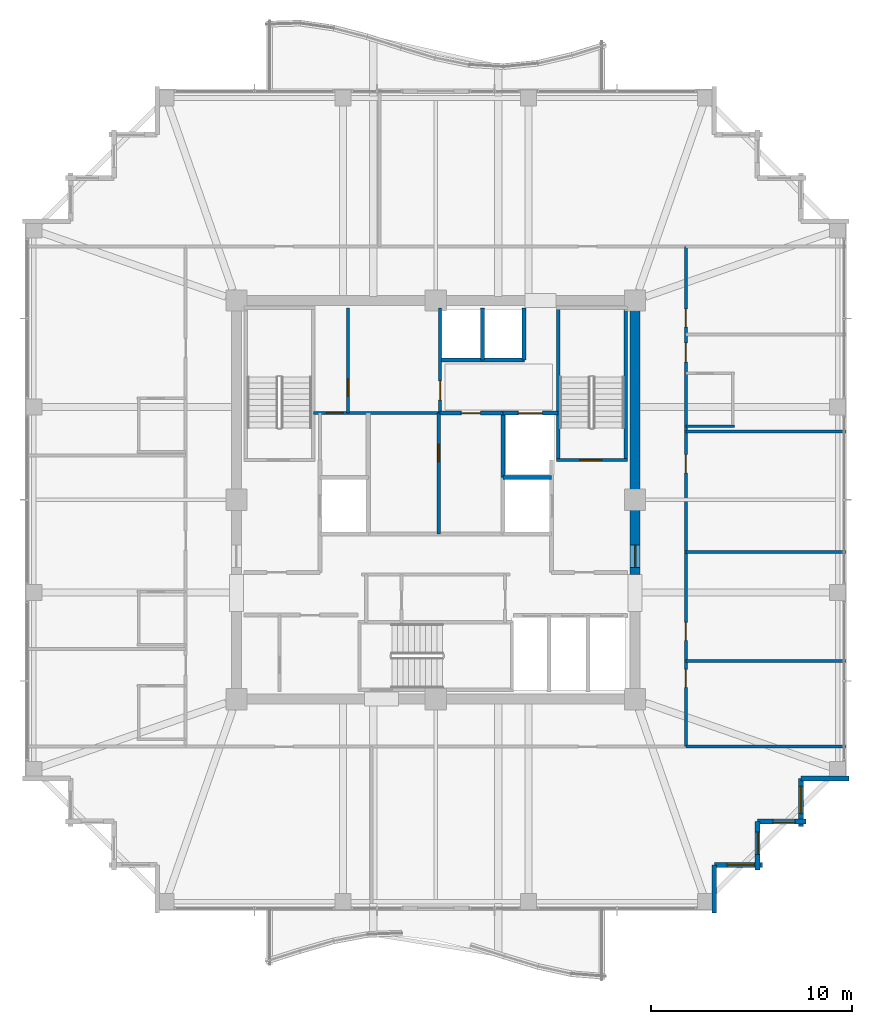
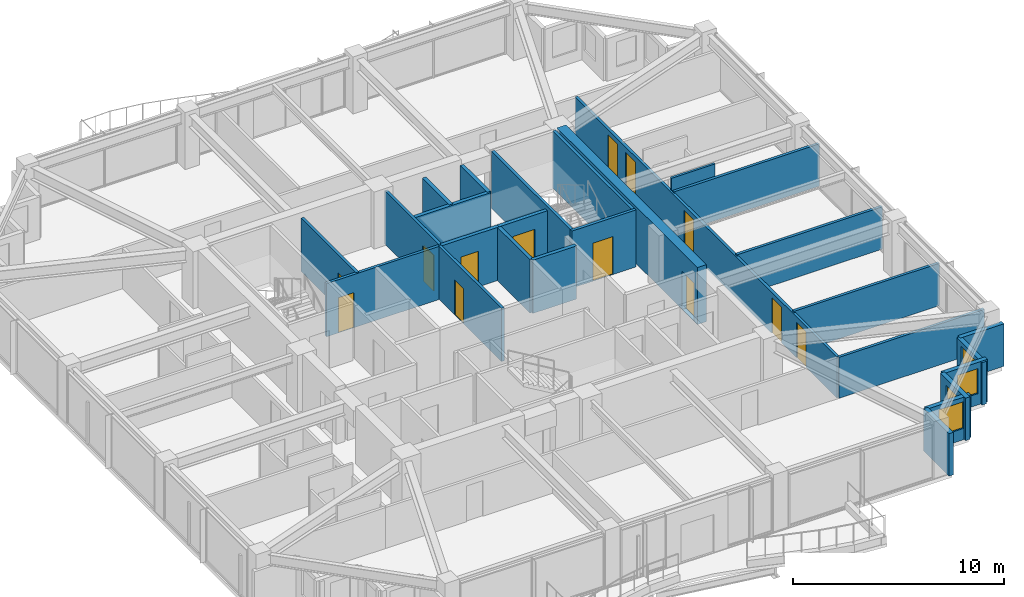
# One storey, part 32 of 36: 27 walls, 13 doors, 4 windows, 17 openings.
"""IFC4 building model written with IfcOpenShell, lengths in metres."""

from ifc_helpers import new_model, si_unit, direction, frame, frame_2d, origin, place, context, subcontext, project, spatial, rectangle, extrude, material, layer, layer_set, type_object, element, fill, save


model = new_model("IFC4")

# Units and contexts
model_context = context("Model", 3, precision=1e-05, world=origin(), true_north=direction((0.0, 1.0)))
body_context = subcontext(model_context, "Body", "Model", "MODEL_VIEW")
ifc_project = project(units=[si_unit("LENGTHUNIT", "METRE"), si_unit("AREAUNIT", "SQUARE_METRE"), si_unit("VOLUMEUNIT", "CUBIC_METRE"), si_unit("PLANEANGLEUNIT", "RADIAN"), si_unit("MASSUNIT", "GRAM", prefix="KILO")], contexts=[model_context])

# Site, building, storey
site_placement = place(None, origin())
site = spatial("IfcSite", under=ifc_project, at=site_placement, CompositionType="ELEMENT")
building_placement = place(site_placement, origin())
building = spatial("IfcBuilding", under=site, at=building_placement, Name="Kolvaren Belvedere", CompositionType="ELEMENT")
storey_placement = place(building_placement, frame((0.0, 0.0, 196.5)))
storey = spatial("IfcBuildingStorey", under=building, at=storey_placement, Name="L57", CompositionType="ELEMENT", Elevation=196.5)

# Wall, opening, door
ifc_material_1 = material(Name="Concrete C50/60", Category="concrete")
ifc_layer_1 = layer(ifc_material_1, 0.5)
ifc_layer_set_1 = layer_set([ifc_layer_1], Name="Concrete C50/60")
wall_type_1 = type_object("IfcWallType", Name="CW-CORE-500", PredefinedType="SHEAR", material=ifc_layer_set_1)
wall_1_placement = place(storey_placement, frame((9.89990234375, -3.699951171875, 0.0), z_axis=(0.0, 0.0, 1.0), x_axis=(0.0, 1.0, 0.0)))
wall_1 = element("IfcWall", 1, at=wall_1_placement, inside=storey, type_object=wall_type_1, Name="L57 East Core Shear Wall 2", PredefinedType="SHEAR", context=body_context, shape_type="SweptSolid", body=[
    extrude(rectangle(XDim=13.349853515625, YDim=0.5, at=frame_2d((6.6748046875, 0.0))), origin(), (0.0, 0.0, 1.0), 3.300048828125),
])
opening_1_placement = place(wall_1_placement, frame((0.35009765625, 0.0, 0.0)))
opening_1 = element("IfcOpeningElement", 2, at=opening_1_placement, cuts=wall_1, Name="Opening D-FD90", PredefinedType="OPENING", context=body_context, shape_type="SweptSolid", body=[
    extrude(rectangle(XDim=1.10009765625, YDim=2.199951171875, at=frame_2d((0.550048828125, 1.10009765625))), frame((0.0, 0.260009765625, 0.0), z_axis=(0.0, -1.0, 0.0), x_axis=(1.0, 0.0, 0.0)), (0.0, 0.0, 1.0), 0.52001953125),
])
ifc_material_2 = material(Name="Painted hollow stainless steel", Category="steel")
door_type_1 = type_object("IfcDoorType", Name="DR-FD90-1100", OperationType="NOTDEFINED", PredefinedType="DOOR", material=ifc_material_2)
door_1_placement = place(opening_1_placement, origin())
door_1 = element("IfcDoor", 3, at=door_1_placement, inside=storey, type_object=door_type_1, Name="L57 East Firefighting Lobby Fire Door", OperationType="SINGLE_SWING_RIGHT", OverallHeight=2.199951171875, OverallWidth=1.10009765625, PredefinedType="DOOR", context=body_context, shape_type="SweptSolid", body=[
    extrude(rectangle(XDim=1.10009765625, YDim=2.199951171875, at=frame_2d((0.550048828125, 1.10009765625))), frame((0.0, 0.02490234375, 0.0), z_axis=(0.0, -1.0, 0.0), x_axis=(1.0, 0.0, 0.0)), (0.0, 0.0, 1.0), 0.050048828125),
])
fill(opening_1, door_1)

ifc_material_3 = material(Name="Concrete C50/60", Category="concrete")
ifc_layer_2 = layer(ifc_material_3, 0.159912109375)
ifc_layer_set_2 = layer_set([ifc_layer_2], Name="Concrete C50/60")
wall_type_2 = type_object("IfcWallType", Name="CW-STAIR-160", PredefinedType="SHEAR", material=ifc_layer_set_2)
wall_2_placement = place(storey_placement, frame((6.0, 1.969970703125, 0.0), z_axis=(0.0, 0.0, 1.0), x_axis=(1.0, 0.0, 0.0)))
wall_2 = element("IfcWall", 4, at=wall_2_placement, inside=storey, type_object=wall_type_2, Name="L57 Stair ST-2 South Shear Wall", PredefinedType="SHEAR", context=body_context, shape_type="SweptSolid", body=[
    extrude(rectangle(XDim=3.52001953125, YDim=0.159912109375, at=frame_2d((1.760009765625, 0.0))), origin(), (0.0, 0.0, 1.0), 3.300048828125),
])
opening_2_placement = place(wall_2_placement, frame((1.14990234375, 0.0, 0.0)))
opening_2 = element("IfcOpeningElement", 5, at=opening_2_placement, cuts=wall_2, Name="Opening D-FD90", PredefinedType="OPENING", context=body_context, shape_type="SweptSolid", body=[
    extrude(rectangle(XDim=1.10009765625, YDim=2.199951171875, at=frame_2d((0.550048828125, 1.10009765625))), frame((0.0, 0.08984375, 0.0), z_axis=(0.0, -1.0, 0.0), x_axis=(1.0, 0.0, 0.0)), (0.0, 0.0, 1.0), 0.179931640625),
])
door_2_placement = place(opening_2_placement, origin())
door_2 = element("IfcDoor", 6, at=door_2_placement, inside=storey, type_object=door_type_1, Name="L57 Stair ST-2 Fire Door", OperationType="SINGLE_SWING_RIGHT", OverallHeight=2.199951171875, OverallWidth=1.10009765625, PredefinedType="DOOR", context=body_context, shape_type="SweptSolid", body=[
    extrude(rectangle(XDim=1.10009765625, YDim=2.199951171875, at=frame_2d((0.550048828125, 1.10009765625))), frame((0.0, 0.02490234375, 0.0), z_axis=(0.0, -1.0, 0.0), x_axis=(1.0, 0.0, 0.0)), (0.0, 0.0, 1.0), 0.050048828125),
])
fill(opening_2, door_2)

# Walls
for number, where, z_axis, x_axis, name in (
    (7, (6.080078125, 1.969970703125, 0.0), (0.0, 0.0, 1.0), (0.0, 1.0, 0.0), "L57 Stair ST-2 West Shear Wall"),
    (8, (9.429931640625, 1.969970703125, 0.0), (0.0, 0.0, 1.0), (0.0, 1.0, 0.0), "L57 Stair ST-2 East Shear Wall"),
):
    element("IfcWall", number, at=place(storey_placement, frame(where, z_axis=z_axis, x_axis=x_axis)), inside=storey, type_object=wall_type_2, Name=name, PredefinedType="SHEAR", context=body_context, shape_type="SweptSolid", body=[
        extrude(rectangle(XDim=7.56005859375, YDim=0.159912109375, at=frame_2d((3.780029296875, 0.0))), origin(), (0.0, 0.0, 1.0), 3.300048828125),
    ])

# Wall, openings, doors
ifc_material_4 = material(Name="Gypsum fire-rated partition assembly", Category="gypsum")
ifc_layer_3 = layer(ifc_material_4, 0.14990234375)
ifc_layer_set_3 = layer_set([ifc_layer_3], Name="Gypsum fire-rated partition assembly")
wall_type_3 = type_object("IfcWallType", Name="WL-CORR-150", PredefinedType="PARTITIONING", material=ifc_layer_set_3)
wall_3_placement = place(storey_placement, frame((12.419921875, -12.260009765625, 0.0), z_axis=(0.0, 0.0, 1.0), x_axis=(0.0, 1.0, 0.0)))
wall_3 = element("IfcWall", 9, at=wall_3_placement, inside=storey, type_object=wall_type_3, Name="L57 East Corridor Wall", PredefinedType="PARTITIONING", context=body_context, shape_type="SweptSolid", body=[
    extrude(rectangle(XDim=24.840087890625, YDim=0.14990234375, at=frame_2d((12.419921875, 0.0))), origin(), (0.0, 0.0, 1.0), 2.368896484375),
])
opening_3_placement = place(wall_3_placement, frame((2.9443359375, 0.0, 0.0)))
opening_3 = element("IfcOpeningElement", 10, at=opening_3_placement, cuts=wall_3, Name="Opening D-INT90", PredefinedType="OPENING", context=body_context, shape_type="SweptSolid", body=[
    extrude(rectangle(XDim=0.89990234375, YDim=2.06005859375, at=frame_2d((0.449951171875, 1.030029296875))), frame((0.0, 0.0849609375, 0.0), z_axis=(0.0, -1.0, 0.0), x_axis=(1.0, 0.0, 0.0)), (0.0, 0.0, 1.0), 0.169921875),
])
opening_4_placement = place(wall_3_placement, frame((5.279296875, 0.0, 0.0)))
opening_4 = element("IfcOpeningElement", 11, at=opening_4_placement, cuts=wall_3, Name="Opening D-INT90", PredefinedType="OPENING", context=body_context, shape_type="SweptSolid", body=[
    extrude(rectangle(XDim=0.89990234375, YDim=2.06005859375, at=frame_2d((0.449951171875, 1.030029296875))), frame((0.0, 0.0849609375, 0.0), z_axis=(0.0, -1.0, 0.0), x_axis=(1.0, 0.0, 0.0)), (0.0, 0.0, 1.0), 0.169921875),
])
opening_5_placement = place(wall_3_placement, frame((13.601806640625, 0.0, 0.0)))
opening_5 = element("IfcOpeningElement", 12, at=opening_5_placement, cuts=wall_3, Name="Opening D-INT90", PredefinedType="OPENING", context=body_context, shape_type="SweptSolid", body=[
    extrude(rectangle(XDim=0.89990234375, YDim=2.06005859375, at=frame_2d((0.449951171875, 1.030029296875))), frame((0.0, 0.0849609375, 0.0), z_axis=(0.0, -1.0, 0.0), x_axis=(1.0, 0.0, 0.0)), (0.0, 0.0, 1.0), 0.169921875),
])
opening_6_placement = place(wall_3_placement, frame((19.09765625, 0.0, 0.0)))
opening_6 = element("IfcOpeningElement", 13, at=opening_6_placement, cuts=wall_3, Name="Opening D-FD60", PredefinedType="OPENING", context=body_context, shape_type="SweptSolid", body=[
    extrude(rectangle(XDim=0.949951171875, YDim=2.06005859375, at=frame_2d((0.47509765625, 1.030029296875))), frame((0.0, 0.0849609375, 0.0), z_axis=(0.0, -1.0, 0.0), x_axis=(1.0, 0.0, 0.0)), (0.0, 0.0, 1.0), 0.169921875),
])
opening_7_placement = place(wall_3_placement, frame((20.835693359375, 0.0, 0.0)))
opening_7 = element("IfcOpeningElement", 14, at=opening_7_placement, cuts=wall_3, Name="Opening D-INT90", PredefinedType="OPENING", context=body_context, shape_type="SweptSolid", body=[
    extrude(rectangle(XDim=0.89990234375, YDim=2.06005859375, at=frame_2d((0.449951171875, 1.030029296875))), frame((0.0, 0.0849609375, 0.0), z_axis=(0.0, -1.0, 0.0), x_axis=(1.0, 0.0, 0.0)), (0.0, 0.0, 1.0), 0.169921875),
])
ifc_material_5 = material(Name="Acoustic white-oak fire door leaf", Category="timber")
door_type_2 = type_object("IfcDoorType", Name="DR-FD60-950", OperationType="NOTDEFINED", PredefinedType="DOOR", material=ifc_material_5)
door_3_placement = place(opening_6_placement, origin())
door_3 = element("IfcDoor", 15, at=door_3_placement, inside=storey, type_object=door_type_2, Name="L57 Botanical Hospitality Suite 5706 Entry Door", OperationType="SINGLE_SWING_RIGHT", OverallHeight=2.06005859375, OverallWidth=0.949951171875, PredefinedType="DOOR", context=body_context, shape_type="SweptSolid", body=[
    extrude(rectangle(XDim=0.949951171875, YDim=2.06005859375, at=frame_2d((0.47509765625, 1.030029296875))), frame((0.0, 0.02490234375, 0.0), z_axis=(0.0, -1.0, 0.0), x_axis=(1.0, 0.0, 0.0)), (0.0, 0.0, 1.0), 0.050048828125),
])
fill(opening_6, door_3)
ifc_material_6 = material(Name="Stained Pacific white oak", Category="timber")
door_type_3 = type_object("IfcDoorType", Name="DR-INT-900", OperationType="NOTDEFINED", PredefinedType="DOOR", material=ifc_material_6)
door_4_placement = place(opening_3_placement, origin())
door_4 = element("IfcDoor", 16, at=door_4_placement, inside=storey, type_object=door_type_3, Name="L57 Guest Tea & Espresso Kitchen 5703 Door", OperationType="SINGLE_SWING_RIGHT", OverallHeight=2.06005859375, OverallWidth=0.89990234375, PredefinedType="DOOR", context=body_context, shape_type="SweptSolid", body=[
    extrude(rectangle(XDim=0.89990234375, YDim=2.06005859375, at=frame_2d((0.449951171875, 1.030029296875))), frame((0.0, 0.02490234375, 0.0), z_axis=(0.0, -1.0, 0.0), x_axis=(1.0, 0.0, 0.0)), (0.0, 0.0, 1.0), 0.050048828125),
])
fill(opening_3, door_4)
door_5_placement = place(opening_4_placement, origin())
door_5 = element("IfcDoor", 17, at=door_5_placement, inside=storey, type_object=door_type_3, Name="L57 Private Hospitality Meeting Room 5704 Door", OperationType="SINGLE_SWING_LEFT", OverallHeight=2.06005859375, OverallWidth=0.89990234375, PredefinedType="DOOR", context=body_context, shape_type="SweptSolid", body=[
    extrude(rectangle(XDim=0.89990234375, YDim=2.06005859375, at=frame_2d((0.449951171875, 1.030029296875))), frame((0.0, 0.02490234375, 0.0), z_axis=(0.0, -1.0, 0.0), x_axis=(1.0, 0.0, 0.0)), (0.0, 0.0, 1.0), 0.050048828125),
])
fill(opening_4, door_5)
door_6_placement = place(opening_5_placement, origin())
door_6 = element("IfcDoor", 18, at=door_6_placement, inside=storey, type_object=door_type_3, Name="L57 Botanical Reading Salon 5705 Door", OperationType="SINGLE_SWING_RIGHT", OverallHeight=2.06005859375, OverallWidth=0.89990234375, PredefinedType="DOOR", context=body_context, shape_type="SweptSolid", body=[
    extrude(rectangle(XDim=0.89990234375, YDim=2.06005859375, at=frame_2d((0.449951171875, 1.030029296875))), frame((0.0, 0.02490234375, 0.0), z_axis=(0.0, -1.0, 0.0), x_axis=(1.0, 0.0, 0.0)), (0.0, 0.0, 1.0), 0.050048828125),
])
fill(opening_5, door_6)
door_7_placement = place(opening_7_placement, origin())
door_7 = element("IfcDoor", 19, at=door_7_placement, inside=storey, type_object=door_type_3, Name="L57 Lounge 5707 Door", OperationType="SINGLE_SWING_LEFT", OverallHeight=2.06005859375, OverallWidth=0.89990234375, PredefinedType="DOOR", context=body_context, shape_type="SweptSolid", body=[
    extrude(rectangle(XDim=0.89990234375, YDim=2.06005859375, at=frame_2d((0.449951171875, 1.030029296875))), frame((0.0, 0.02490234375, 0.0), z_axis=(0.0, -1.0, 0.0), x_axis=(1.0, 0.0, 0.0)), (0.0, 0.0, 1.0), 0.050048828125),
])
fill(opening_7, door_7)

# Wall
ifc_material_7 = material(Name="Insulated pale-metal facade wall assembly", Category="aluminium")
ifc_layer_4 = layer(ifc_material_7, 0.239990234375)
ifc_layer_set_4 = layer_set([ifc_layer_4], Name="Insulated pale-metal facade wall assembly")
wall_type_4 = type_object("IfcWallType", Name="WL-EXT-240", PredefinedType="STANDARD", material=ifc_layer_set_4)
wall_4_placement = place(storey_placement, frame((13.830078125, -18.1298828125, 0.0), z_axis=(0.0, 0.0, 1.0), x_axis=(0.0, -1.0, 0.0)))
element("IfcWall", 20, at=wall_4_placement, inside=storey, type_object=wall_type_4, Name="L57 Serrated Corner Facade Wall 2", PredefinedType="STANDARD", context=body_context, shape_type="SweptSolid", body=[
    extrude(rectangle(XDim=2.39013671875, YDim=0.239990234375, at=frame_2d((1.195068359375, 0.0))), origin(), (0.0, 0.0, 1.0), 2.462890625),
])

# Wall, opening, window
wall_5_placement = place(storey_placement, frame((16.219970703125, -18.1298828125, 0.0), z_axis=(0.0, 0.0, 1.0), x_axis=(-1.0, 0.0, 0.0)))
wall_5 = element("IfcWall", 21, at=wall_5_placement, inside=storey, type_object=wall_type_4, Name="L57 Serrated Corner Facade Wall 3", PredefinedType="STANDARD", context=body_context, shape_type="SweptSolid", body=[
    extrude(rectangle(XDim=2.389892578125, YDim=0.239990234375, at=frame_2d((1.19482421875, 0.0))), origin(), (0.0, 0.0, 1.0), 2.462890625),
])
opening_8_placement = place(wall_5_placement, frame((0.39990234375, 0.0, 0.64990234375)))
opening_8 = element("IfcOpeningElement", 22, at=opening_8_placement, cuts=wall_5, Name="Opening W-1350", PredefinedType="OPENING", context=body_context, shape_type="SweptSolid", body=[
    extrude(rectangle(XDim=1.35009765625, YDim=1.550048828125, at=frame_2d((0.675048828125, 0.77490234375))), frame((0.0, 0.1298828125, 0.0), z_axis=(0.0, -1.0, 0.0), x_axis=(1.0, 0.0, 0.0)), (0.0, 0.0, 1.0), 0.260009765625),
])
ifc_material_8 = material(Name="Low-iron triple insulated glass", Category="glass")
window_type_1 = type_object("IfcWindowType", Name="WN-CORN-1350", PartitioningType="SINGLE_PANEL", PredefinedType="WINDOW", material=ifc_material_8)
window_1_placement = place(opening_8_placement, origin())
window_1 = element("IfcWindow", 23, at=window_1_placement, inside=storey, type_object=window_type_1, Name="L57 Serrated Corner Vision Window 3", OverallHeight=1.550048828125, OverallWidth=1.35009765625, PartitioningType="SINGLE_PANEL", PredefinedType="WINDOW", context=body_context, shape_type="SweptSolid", body=[
    extrude(rectangle(XDim=1.35009765625, YDim=1.550048828125, at=frame_2d((0.675048828125, 0.77490234375))), frame((0.0, 0.030029296875, 0.0), z_axis=(0.0, -1.0, 0.0), x_axis=(1.0, 0.0, 0.0)), (0.0, 0.0, 1.0), 0.06005859375),
])
fill(opening_8, window_1)

wall_6_placement = place(storey_placement, frame((15.97998046875, -15.97998046875, 0.0), z_axis=(0.0, 0.0, 1.0), x_axis=(0.0, -1.0, 0.0)))
wall_6 = element("IfcWall", 24, at=wall_6_placement, inside=storey, type_object=wall_type_4, Name="L57 Serrated Corner Facade Wall 4", PredefinedType="STANDARD", context=body_context, shape_type="SweptSolid", body=[
    extrude(rectangle(XDim=2.39013671875, YDim=0.239990234375, at=frame_2d((1.195068359375, 0.0))), origin(), (0.0, 0.0, 1.0), 2.462890625),
])
opening_9_placement = place(wall_6_placement, frame((0.52490234375, 0.0, 0.64990234375)))
opening_9 = element("IfcOpeningElement", 25, at=opening_9_placement, cuts=wall_6, Name="Opening W-1100", PredefinedType="OPENING", context=body_context, shape_type="SweptSolid", body=[
    extrude(rectangle(XDim=1.10009765625, YDim=1.449951171875, at=frame_2d((0.550048828125, 0.72509765625))), frame((0.0, 0.1298828125, 0.0), z_axis=(0.0, -1.0, 0.0), x_axis=(1.0, 0.0, 0.0)), (0.0, 0.0, 1.0), 0.260009765625),
])
ifc_material_9 = material(Name="Low-iron triple insulated glass", Category="glass")
window_type_2 = type_object("IfcWindowType", Name="WN-CORN-1100", PartitioningType="SINGLE_PANEL", PredefinedType="WINDOW", material=ifc_material_9)
window_2_placement = place(opening_9_placement, origin())
window_2 = element("IfcWindow", 26, at=window_2_placement, inside=storey, type_object=window_type_2, Name="L57 Serrated Corner Vision Window 4", OverallHeight=1.449951171875, OverallWidth=1.10009765625, PartitioningType="SINGLE_PANEL", PredefinedType="WINDOW", context=body_context, shape_type="SweptSolid", body=[
    extrude(rectangle(XDim=1.10009765625, YDim=1.449951171875, at=frame_2d((0.550048828125, 0.72509765625))), frame((0.0, 0.030029296875, 0.0), z_axis=(0.0, -1.0, 0.0), x_axis=(1.0, 0.0, 0.0)), (0.0, 0.0, 1.0), 0.06005859375),
])
fill(opening_9, window_2)

wall_7_placement = place(storey_placement, frame((18.3701171875, -15.97998046875, 0.0), z_axis=(0.0, 0.0, 1.0), x_axis=(-1.0, 0.0, 0.0)))
wall_7 = element("IfcWall", 27, at=wall_7_placement, inside=storey, type_object=wall_type_4, Name="L57 Serrated Corner Facade Wall 5", PredefinedType="STANDARD", context=body_context, shape_type="SweptSolid", body=[
    extrude(rectangle(XDim=2.39013671875, YDim=0.239990234375, at=frame_2d((1.195068359375, 0.0))), origin(), (0.0, 0.0, 1.0), 2.462890625),
])
opening_10_placement = place(wall_7_placement, frame((0.52490234375, 0.0, 0.64990234375)))
opening_10 = element("IfcOpeningElement", 28, at=opening_10_placement, cuts=wall_7, Name="Opening W-1100", PredefinedType="OPENING", context=body_context, shape_type="SweptSolid", body=[
    extrude(rectangle(XDim=1.10009765625, YDim=1.449951171875, at=frame_2d((0.550048828125, 0.72509765625))), frame((0.0, 0.1298828125, 0.0), z_axis=(0.0, -1.0, 0.0), x_axis=(1.0, 0.0, 0.0)), (0.0, 0.0, 1.0), 0.260009765625),
])
window_3_placement = place(opening_10_placement, origin())
window_3 = element("IfcWindow", 29, at=window_3_placement, inside=storey, type_object=window_type_2, Name="L57 Serrated Corner Vision Window 5", OverallHeight=1.449951171875, OverallWidth=1.10009765625, PartitioningType="SINGLE_PANEL", PredefinedType="WINDOW", context=body_context, shape_type="SweptSolid", body=[
    extrude(rectangle(XDim=1.10009765625, YDim=1.449951171875, at=frame_2d((0.550048828125, 0.72509765625))), frame((0.0, 0.030029296875, 0.0), z_axis=(0.0, -1.0, 0.0), x_axis=(1.0, 0.0, 0.0)), (0.0, 0.0, 1.0), 0.06005859375),
])
fill(opening_10, window_3)

wall_8_placement = place(storey_placement, frame((18.1298828125, -13.830078125, 0.0), z_axis=(0.0, 0.0, 1.0), x_axis=(0.0, -1.0, 0.0)))
wall_8 = element("IfcWall", 30, at=wall_8_placement, inside=storey, type_object=wall_type_4, Name="L57 Serrated Corner Facade Wall 6", PredefinedType="STANDARD", context=body_context, shape_type="SweptSolid", body=[
    extrude(rectangle(XDim=2.389892578125, YDim=0.239990234375, at=frame_2d((1.19482421875, 0.0))), origin(), (0.0, 0.0, 1.0), 2.462890625),
])
opening_11_placement = place(wall_8_placement, frame((0.39990234375, 0.0, 0.64990234375)))
opening_11 = element("IfcOpeningElement", 31, at=opening_11_placement, cuts=wall_8, Name="Opening W-1350", PredefinedType="OPENING", context=body_context, shape_type="SweptSolid", body=[
    extrude(rectangle(XDim=1.35009765625, YDim=1.550048828125, at=frame_2d((0.675048828125, 0.77490234375))), frame((0.0, 0.1298828125, 0.0), z_axis=(0.0, -1.0, 0.0), x_axis=(1.0, 0.0, 0.0)), (0.0, 0.0, 1.0), 0.260009765625),
])
window_4_placement = place(opening_11_placement, origin())
window_4 = element("IfcWindow", 32, at=window_4_placement, inside=storey, type_object=window_type_1, Name="L57 Serrated Corner Vision Window 6", OverallHeight=1.550048828125, OverallWidth=1.35009765625, PartitioningType="SINGLE_PANEL", PredefinedType="WINDOW", context=body_context, shape_type="SweptSolid", body=[
    extrude(rectangle(XDim=1.35009765625, YDim=1.550048828125, at=frame_2d((0.675048828125, 0.77490234375))), frame((0.0, 0.030029296875, 0.0), z_axis=(0.0, -1.0, 0.0), x_axis=(1.0, 0.0, 0.0)), (0.0, 0.0, 1.0), 0.06005859375),
])
fill(opening_11, window_4)

# Wall
wall_9_placement = place(storey_placement, frame((20.52001953125, -13.830078125, 0.0), z_axis=(0.0, 0.0, 1.0), x_axis=(-1.0, 0.0, 0.0)))
element("IfcWall", 33, at=wall_9_placement, inside=storey, type_object=wall_type_4, Name="L57 Serrated Corner Facade Wall 7", PredefinedType="STANDARD", context=body_context, shape_type="SweptSolid", body=[
    extrude(rectangle(XDim=2.39013671875, YDim=0.239990234375, at=frame_2d((1.195068359375, 0.0))), origin(), (0.0, 0.0, 1.0), 2.462890625),
])

# Wall, opening, door
ifc_material_10 = material(Name="Gypsum acoustic partition assembly", Category="gypsum")
ifc_layer_5 = layer(ifc_material_10, 0.14990234375)
ifc_layer_set_5 = layer_set([ifc_layer_5], Name="Gypsum acoustic partition assembly")
wall_type_5 = type_object("IfcWallType", Name="WL-PART-150", PredefinedType="PARTITIONING", material=ifc_layer_set_5)
wall_10_placement = place(storey_placement, frame((-6.080078125, 4.300048828125, 0.0), z_axis=(0.0, 0.0, 1.0), x_axis=(1.0, 0.0, 0.0)))
wall_10 = element("IfcWall", 34, at=wall_10_placement, inside=storey, type_object=wall_type_5, Name="L57 Reclaimed Salon South Wall", PredefinedType="PARTITIONING", context=body_context, shape_type="SweptSolid", body=[
    extrude(rectangle(XDim=6.300048828125, YDim=0.14990234375, at=frame_2d((3.14990234375, 0.0))), origin(), (0.0, 0.0, 1.0), 3.080078125),
])
opening_12_placement = place(wall_10_placement, frame((0.64990234375, 0.0, 0.0)))
opening_12 = element("IfcOpeningElement", 35, at=opening_12_placement, cuts=wall_10, Name="Opening D-INT85", PredefinedType="OPENING", context=body_context, shape_type="SweptSolid", body=[
    extrude(rectangle(XDim=0.85009765625, YDim=2.030029296875, at=frame_2d((0.425048828125, 1.01513671875))), frame((0.0, 0.0849609375, 0.0), z_axis=(0.0, -1.0, 0.0), x_axis=(1.0, 0.0, 0.0)), (0.0, 0.0, 1.0), 0.169921875),
])
ifc_material_11 = material(Name="Stained Pacific white oak", Category="timber")
door_type_4 = type_object("IfcDoorType", Name="DR-INT-850", OperationType="NOTDEFINED", PredefinedType="DOOR", material=ifc_material_11)
door_8_placement = place(opening_12_placement, origin())
door_8 = element("IfcDoor", 36, at=door_8_placement, inside=storey, type_object=door_type_4, Name="L57 NW Core Store Door", OperationType="SINGLE_SWING_RIGHT", OverallHeight=2.030029296875, OverallWidth=0.85009765625, PredefinedType="DOOR", context=body_context, shape_type="SweptSolid", body=[
    extrude(rectangle(XDim=0.85009765625, YDim=2.030029296875, at=frame_2d((0.425048828125, 1.01513671875))), frame((0.0, 0.02490234375, 0.0), z_axis=(0.0, -1.0, 0.0), x_axis=(1.0, 0.0, 0.0)), (0.0, 0.0, 1.0), 0.050048828125),
])
fill(opening_12, door_8)

wall_11_placement = place(storey_placement, frame((0.219970703125, 4.300048828125, 0.0), z_axis=(0.0, 0.0, 1.0), x_axis=(0.0, 1.0, 0.0)))
wall_11 = element("IfcWall", 37, at=wall_11_placement, inside=storey, type_object=wall_type_5, Name="L57 Reclaimed Salon East Wall", PredefinedType="PARTITIONING", context=body_context, shape_type="SweptSolid", body=[
    extrude(rectangle(XDim=5.219970703125, YDim=0.14990234375, at=frame_2d((2.60986328125, 0.0))), origin(), (0.0, 0.0, 1.0), 3.080078125),
])
opening_13_placement = place(wall_11_placement, frame((0.64990234375, 0.0, 0.0)))
opening_13 = element("IfcOpeningElement", 38, at=opening_13_placement, cuts=wall_11, Name="Opening D-INT95", PredefinedType="OPENING", context=body_context, shape_type="SweptSolid", body=[
    extrude(rectangle(XDim=0.949951171875, YDim=2.06005859375, at=frame_2d((0.47509765625, 1.030029296875))), frame((0.0, 0.0849609375, 0.0), z_axis=(0.0, -1.0, 0.0), x_axis=(1.0, 0.0, 0.0)), (0.0, 0.0, 1.0), 0.169921875),
])
ifc_material_12 = material(Name="Stained Pacific white oak", Category="timber")
door_type_5 = type_object("IfcDoorType", Name="DR-INT-950", OperationType="NOTDEFINED", PredefinedType="DOOR", material=ifc_material_12)
door_9_placement = place(opening_13_placement, origin())
door_9 = element("IfcDoor", 39, at=door_9_placement, inside=storey, type_object=door_type_5, Name="L57 Art Salon Door", OperationType="SINGLE_SWING_LEFT", OverallHeight=2.06005859375, OverallWidth=0.949951171875, PredefinedType="DOOR", context=body_context, shape_type="SweptSolid", body=[
    extrude(rectangle(XDim=0.949951171875, YDim=2.06005859375, at=frame_2d((0.47509765625, 1.030029296875))), frame((0.0, 0.02490234375, 0.0), z_axis=(0.0, -1.0, 0.0), x_axis=(1.0, 0.0, 0.0)), (0.0, 0.0, 1.0), 0.050048828125),
])
fill(opening_13, door_9)

wall_12_placement = place(storey_placement, frame((-4.35009765625, 4.300048828125, 0.0), z_axis=(0.0, 0.0, 1.0), x_axis=(0.0, 1.0, 0.0)))
wall_12 = element("IfcWall", 40, at=wall_12_placement, inside=storey, type_object=wall_type_5, Name="L57 Reclaimed Archive Divider", PredefinedType="PARTITIONING", context=body_context, shape_type="SweptSolid", body=[
    extrude(rectangle(XDim=5.219970703125, YDim=0.14990234375, at=frame_2d((2.60986328125, 0.0))), origin(), (0.0, 0.0, 1.0), 3.080078125),
])
opening_14_placement = place(wall_12_placement, frame((0.85009765625, 0.0, 0.0)))
opening_14 = element("IfcOpeningElement", 41, at=opening_14_placement, cuts=wall_12, Name="Opening D-INT85", PredefinedType="OPENING", context=body_context, shape_type="SweptSolid", body=[
    extrude(rectangle(XDim=0.85009765625, YDim=2.030029296875, at=frame_2d((0.425048828125, 1.01513671875))), frame((0.0, 0.0849609375, 0.0), z_axis=(0.0, -1.0, 0.0), x_axis=(1.0, 0.0, 0.0)), (0.0, 0.0, 1.0), 0.169921875),
])
door_10_placement = place(opening_14_placement, origin())
door_10 = element("IfcDoor", 42, at=door_10_placement, inside=storey, type_object=door_type_4, Name="L57 Archive Store Door", OperationType="SINGLE_SWING_RIGHT", OverallHeight=2.030029296875, OverallWidth=0.85009765625, PredefinedType="DOOR", context=body_context, shape_type="SweptSolid", body=[
    extrude(rectangle(XDim=0.85009765625, YDim=2.030029296875, at=frame_2d((0.425048828125, 1.01513671875))), frame((0.0, 0.02490234375, 0.0), z_axis=(0.0, -1.0, 0.0), x_axis=(1.0, 0.0, 0.0)), (0.0, 0.0, 1.0), 0.050048828125),
])
fill(opening_14, door_10)

wall_13_placement = place(storey_placement, frame((0.14990234375, -1.699951171875, 0.0), z_axis=(0.0, 0.0, 1.0), x_axis=(0.0, 1.0, 0.0)))
wall_13 = element("IfcWall", 43, at=wall_13_placement, inside=storey, type_object=wall_type_5, Name="L57 Central Core V-Divider", PredefinedType="PARTITIONING", context=body_context, shape_type="SweptSolid", body=[
    extrude(rectangle(XDim=6.0, YDim=0.14990234375, at=frame_2d((3.0, 0.0))), origin(), (0.0, 0.0, 1.0), 3.080078125),
])
opening_15_placement = place(wall_13_placement, frame((3.60009765625, 0.0, 0.0)))
opening_15 = element("IfcOpeningElement", 44, at=opening_15_placement, cuts=wall_13, Name="Opening D-INT85", PredefinedType="OPENING", context=body_context, shape_type="SweptSolid", body=[
    extrude(rectangle(XDim=0.85009765625, YDim=2.030029296875, at=frame_2d((0.425048828125, 1.01513671875))), frame((0.0, 0.0849609375, 0.0), z_axis=(0.0, -1.0, 0.0), x_axis=(1.0, 0.0, 0.0)), (0.0, 0.0, 1.0), 0.169921875),
])
door_11_placement = place(opening_15_placement, origin())
door_11 = element("IfcDoor", 45, at=door_11_placement, inside=storey, type_object=door_type_4, Name="L57 Central Linen Door", OperationType="SINGLE_SWING_RIGHT", OverallHeight=2.030029296875, OverallWidth=0.85009765625, PredefinedType="DOOR", context=body_context, shape_type="SweptSolid", body=[
    extrude(rectangle(XDim=0.85009765625, YDim=2.030029296875, at=frame_2d((0.425048828125, 1.01513671875))), frame((0.0, 0.02490234375, 0.0), z_axis=(0.0, -1.0, 0.0), x_axis=(1.0, 0.0, 0.0)), (0.0, 0.0, 1.0), 0.050048828125),
])
fill(opening_15, door_11)

# Walls
wall_14_placement = place(storey_placement, frame((12.419921875, -12.260009765625, 0.0), z_axis=(0.0, 0.0, 1.0), x_axis=(1.0, 0.0, 0.0)))
element("IfcWall", 46, at=wall_14_placement, inside=storey, type_object=wall_type_5, Name="L57 Wing Divider PW-L57-QSE", PredefinedType="PARTITIONING", context=body_context, shape_type="SweptSolid", body=[
    extrude(rectangle(XDim=7.9599609375, YDim=0.14990234375, at=frame_2d((3.97998046875, 0.0))), origin(), (0.0, 0.0, 1.0), 2.368896484375),
])
for number, where, z_axis, x_axis, name in (
    (47, (12.419921875, -8.0, 0.0), (0.0, 0.0, 1.0), (1.0, 0.0, 0.0), "L57 East Suite Demising Wall 1"),
    (48, (12.419921875, -2.60009765625, 0.0), (0.0, 0.0, 1.0), (1.0, 0.0, 0.0), "L57 East Suite Demising Wall 2"),
    (49, (12.419921875, 3.39990234375, 0.0), (0.0, 0.0, 1.0), (1.0, 0.0, 0.0), "L57 East Suite Demising Wall 3"),
):
    element("IfcWall", number, at=place(storey_placement, frame(where, z_axis=z_axis, x_axis=x_axis)), inside=storey, type_object=wall_type_5, Name=name, PredefinedType="PARTITIONING", context=body_context, shape_type="SweptSolid", body=[
        extrude(rectangle(XDim=7.9599609375, YDim=0.14990234375, at=frame_2d((3.97998046875, 0.0))), origin(), (0.0, 0.0, 1.0), 2.452880859375),
    ])
ifc_material_13 = material(Name="Concrete C50/60", Category="concrete")
ifc_layer_6 = layer(ifc_material_13, 0.199951171875)
ifc_layer_set_6 = layer_set([ifc_layer_6], Name="Concrete C50/60")
wall_type_6 = type_object("IfcWallType", Name="WL-SHAFT-200", PredefinedType="SOLIDWALL", material=ifc_layer_set_6)
wall_15_placement = place(storey_placement, frame((3.35009765625, 1.10009765625, 0.0), z_axis=(0.0, 0.0, 1.0), x_axis=(1.0, 0.0, 0.0)))
element("IfcWall", 50, at=wall_15_placement, inside=storey, type_object=wall_type_6, Name="L57 FSAE FS2 North Wall", PredefinedType="SOLIDWALL", context=body_context, shape_type="SweptSolid", body=[
    extrude(rectangle(XDim=2.39990234375, YDim=0.199951171875, at=frame_2d((1.199951171875, 0.0))), origin(), (0.0, 0.0, 1.0), 3.080078125),
])

# Wall, opening, door
wall_16_placement = place(storey_placement, frame((3.35009765625, 4.300048828125, 0.0), z_axis=(0.0, 0.0, 1.0), x_axis=(1.0, 0.0, 0.0)))
wall_16 = element("IfcWall", 51, at=wall_16_placement, inside=storey, type_object=wall_type_6, Name="L57 Service Lift SV1 Front Wall", PredefinedType="SOLIDWALL", context=body_context, shape_type="SweptSolid", body=[
    extrude(rectangle(XDim=2.72998046875, YDim=0.199951171875, at=frame_2d((1.364990234375, 0.0))), origin(), (0.0, 0.0, 1.0), 3.080078125),
])
opening_16_placement = place(wall_16_placement, frame((0.75, 0.0, 0.0)))
opening_16 = element("IfcOpeningElement", 52, at=opening_16_placement, cuts=wall_16, Name="Opening LD-12", PredefinedType="OPENING", context=body_context, shape_type="SweptSolid", body=[
    extrude(rectangle(XDim=1.199951171875, YDim=2.25, at=frame_2d((0.60009765625, 1.125))), frame((0.0, 0.10986328125, 0.0), z_axis=(0.0, -1.0, 0.0), x_axis=(1.0, 0.0, 0.0)), (0.0, 0.0, 1.0), 0.219970703125),
])
ifc_material_14 = material(Name="Brushed stainless steel", Category="steel")
door_type_6 = type_object("IfcDoorType", Name="DR-LIFT-1200", OperationType="DOUBLE_DOOR_SLIDING", PredefinedType="DOOR", material=ifc_material_14)
door_12_placement = place(opening_16_placement, origin())
door_12 = element("IfcDoor", 53, at=door_12_placement, inside=storey, type_object=door_type_6, Name="L57 Service Lift SV1 Landing Door", OperationType="DOUBLE_DOOR_SLIDING", OverallHeight=2.25, OverallWidth=1.199951171875, PredefinedType="DOOR", context=body_context, shape_type="SweptSolid", body=[
    extrude(rectangle(XDim=1.199951171875, YDim=2.25, at=frame_2d((0.60009765625, 1.125))), frame((0.0, 0.02490234375, 0.0), z_axis=(0.0, -1.0, 0.0), x_axis=(1.0, 0.0, 0.0)), (0.0, 0.0, 1.0), 0.050048828125),
])
fill(opening_16, door_12)

# Walls
wall_17_placement = place(storey_placement, frame((0.219970703125, 6.949951171875, 0.0), z_axis=(0.0, 0.0, 1.0), x_axis=(1.0, 0.0, 0.0)))
element("IfcWall", 54, at=wall_17_placement, inside=storey, type_object=wall_type_6, Name="L57 Express Shuttle Hoistway Wall", PredefinedType="SOLIDWALL", context=body_context, shape_type="SweptSolid", body=[
    extrude(rectangle(XDim=4.179931640625, YDim=0.199951171875, at=frame_2d((2.08984375, 0.0))), origin(), (0.0, 0.0, 1.0), 3.080078125),
])
for number, where, z_axis, x_axis, name in (
    (55, (4.3798828125, 6.949951171875, 0.0), (0.0, 0.0, 1.0), (0.0, 1.0, 0.0), "L57 Express Shuttle East Wall"),
    (56, (2.31005859375, 6.949951171875, 0.0), (0.0, 0.0, 1.0), (0.0, 1.0, 0.0), "L57 Express Shuttle Divider"),
):
    element("IfcWall", number, at=place(storey_placement, frame(where, z_axis=z_axis, x_axis=x_axis)), inside=storey, type_object=wall_type_6, Name=name, PredefinedType="SOLIDWALL", context=body_context, shape_type="SweptSolid", body=[
        extrude(rectangle(XDim=2.570068359375, YDim=0.199951171875, at=frame_2d((1.28515625, 0.0))), origin(), (0.0, 0.0, 1.0), 3.080078125),
    ])

# Wall, opening, door
wall_18_placement = place(storey_placement, frame((0.219970703125, 4.300048828125, 0.0), z_axis=(0.0, 0.0, 1.0), x_axis=(1.0, 0.0, 0.0)))
wall_18 = element("IfcWall", 57, at=wall_18_placement, inside=storey, type_object=wall_type_6, Name="L57 Central Core Room North Wall", PredefinedType="SOLIDWALL", context=body_context, shape_type="SweptSolid", body=[
    extrude(rectangle(XDim=3.130126953125, YDim=0.199951171875, at=frame_2d((1.56494140625, 0.0))), origin(), (0.0, 0.0, 1.0), 3.080078125),
])
opening_17_placement = place(wall_18_placement, frame((1.050048828125, 0.0, 0.0)))
opening_17 = element("IfcOpeningElement", 58, at=opening_17_placement, cuts=wall_18, Name="Opening D-FD60", PredefinedType="OPENING", context=body_context, shape_type="SweptSolid", body=[
    extrude(rectangle(XDim=0.949951171875, YDim=2.06005859375, at=frame_2d((0.47509765625, 1.030029296875))), frame((0.0, 0.10986328125, 0.0), z_axis=(0.0, -1.0, 0.0), x_axis=(1.0, 0.0, 0.0)), (0.0, 0.0, 1.0), 0.219970703125),
])
door_13_placement = place(opening_17_placement, origin())
door_13 = element("IfcDoor", 59, at=door_13_placement, inside=storey, type_object=door_type_2, Name="L57 Central Core Controls Door", OperationType="SINGLE_SWING_LEFT", OverallHeight=2.06005859375, OverallWidth=0.949951171875, PredefinedType="DOOR", context=body_context, shape_type="SweptSolid", body=[
    extrude(rectangle(XDim=0.949951171875, YDim=2.06005859375, at=frame_2d((0.47509765625, 1.030029296875))), frame((0.0, 0.02490234375, 0.0), z_axis=(0.0, -1.0, 0.0), x_axis=(1.0, 0.0, 0.0)), (0.0, 0.0, 1.0), 0.050048828125),
])
fill(opening_17, door_13)

# Walls
wall_19_placement = place(storey_placement, frame((3.35009765625, 1.10009765625, 0.0), z_axis=(0.0, 0.0, 1.0), x_axis=(0.0, 1.0, 0.0)))
element("IfcWall", 60, at=wall_19_placement, inside=storey, type_object=wall_type_6, Name="L57 Central Core Room East Wall", PredefinedType="SOLIDWALL", context=body_context, shape_type="SweptSolid", body=[
    extrude(rectangle(XDim=3.199951171875, YDim=0.199951171875, at=frame_2d((1.60009765625, 0.0))), origin(), (0.0, 0.0, 1.0), 3.080078125),
])
ifc_material_15 = material(Name="Moisture-resistant gypsum partition", Category="gypsum")
ifc_layer_7 = layer(ifc_material_15, 0.125)
ifc_layer_set_7 = layer_set([ifc_layer_7], Name="Moisture-resistant gypsum partition")
wall_type_7 = type_object("IfcWallType", Name="WL-WET-125", PredefinedType="PARTITIONING", material=ifc_layer_set_7)
wall_20_placement = place(storey_placement, frame((12.43505859375, 3.64404296875, 0.0), z_axis=(0.0, 0.0, 1.0), x_axis=(1.0, 0.0, 0.0)))
element("IfcWall", 61, at=wall_20_placement, inside=storey, type_object=wall_type_7, Name="L57 Bathroom Partition PW-L57-BTH-6-S", PredefinedType="PARTITIONING", context=body_context, shape_type="SweptSolid", body=[
    extrude(rectangle(XDim=2.389892578125, YDim=0.125, at=frame_2d((1.19482421875, 0.0))), origin(), (0.0, 0.0, 1.0), 3.080078125),
])

save(model, "model.ifc")
